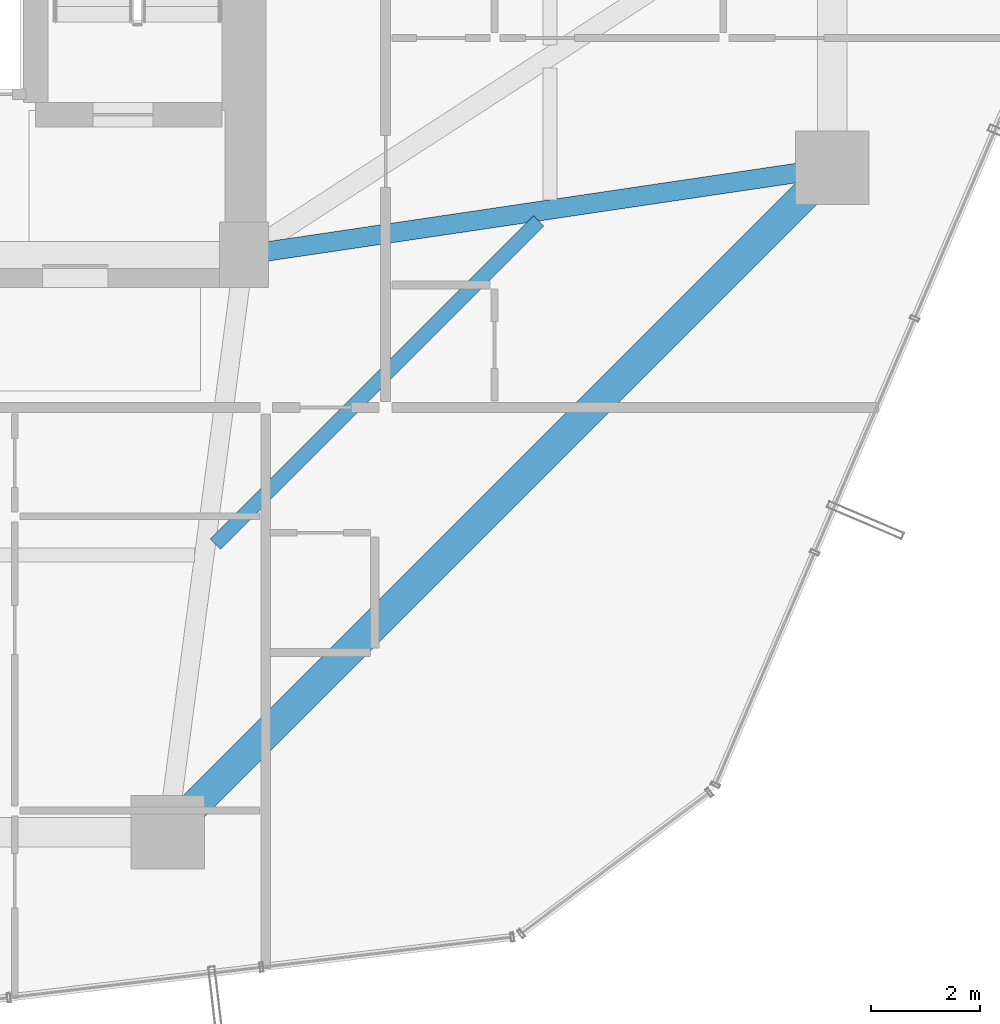
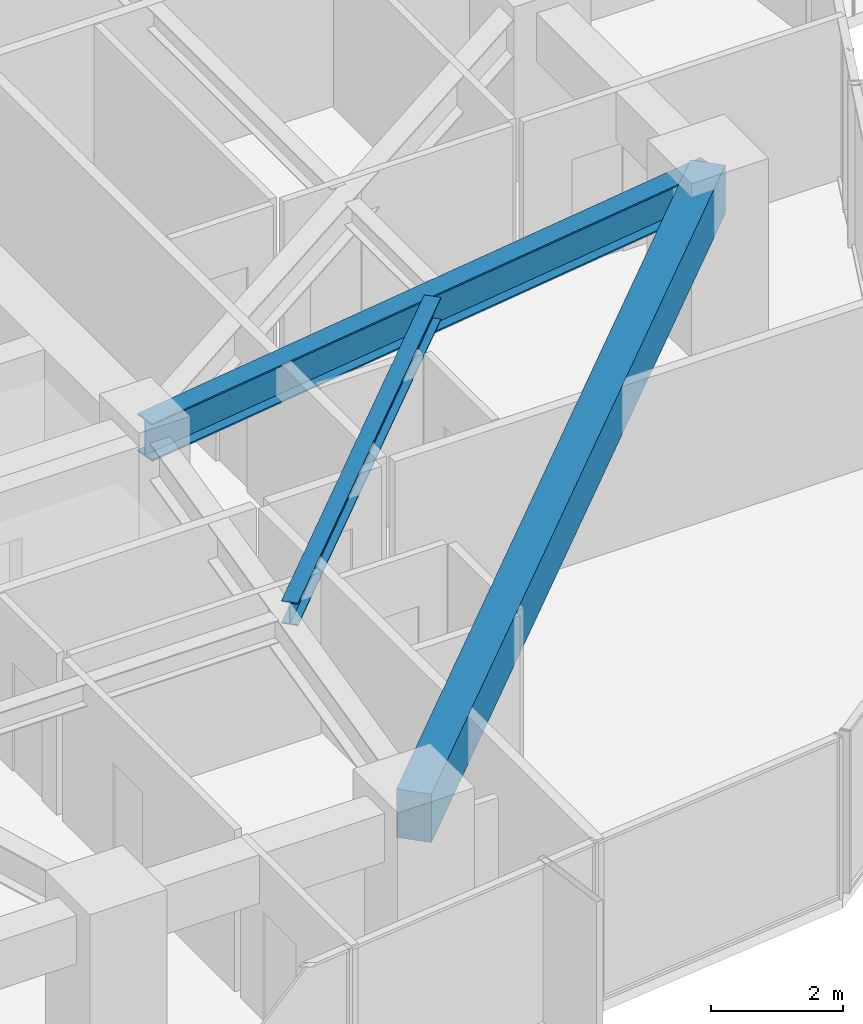
# One storey, part 15 of 37: 3 beams.
"""IFC4 building model written with IfcOpenShell, lengths in metres."""

from ifc_helpers import new_model, si_unit, direction, frame, origin, origin_2d, place, context, subcontext, project, spatial, rectangle, i_section, extrude, material, material_profile, profile_set, type_object, element, save


model = new_model("IFC4")

# Units and contexts
model_context = context("Model", 3, precision=1e-05, world=origin(), true_north=direction((0.0, 1.0)))
body_context = subcontext(model_context, "Body", "Model", "MODEL_VIEW")
ifc_project = project(units=[si_unit("LENGTHUNIT", "METRE"), si_unit("AREAUNIT", "SQUARE_METRE"), si_unit("VOLUMEUNIT", "CUBIC_METRE"), si_unit("PLANEANGLEUNIT", "RADIAN"), si_unit("MASSUNIT", "GRAM", prefix="KILO")], contexts=[model_context])

# Site, building, storey
site_placement = place(None, origin())
site = spatial("IfcSite", under=ifc_project, at=site_placement, CompositionType="ELEMENT")
building_placement = place(site_placement, origin())
building = spatial("IfcBuilding", under=site, at=building_placement, Name="Veraguas Prism Commons", CompositionType="ELEMENT")
storey_placement = place(building_placement, frame((0.0, 0.0, 46.800048828125)))
storey = spatial("IfcBuildingStorey", under=building, at=storey_placement, Name="L12", CompositionType="ELEMENT", Elevation=46.800048828125)

# Beams
ifc_material_1 = material(Name="Steel ASTM A992 Grade 50", Category="steel")
ifc_material_profile_1 = material_profile(ifc_material_1, i_section(OverallWidth=0.260986328125, OverallDepth=0.419921875, WebThickness=0.01171875, FlangeThickness=0.019287109375, at=origin_2d()), Name="W410X114")
ifc_profile_set_1 = profile_set([ifc_material_profile_1], Name="Steel ASTM A992 Grade 50")
beam_type_1 = type_object("IfcBeamType", Name="Lower Floor Joist W410x114", PredefinedType="JOIST", material=ifc_profile_set_1)
beam_1_placement = place(storey_placement, frame((30.276611328125, 11.6923828125, 2.7900390625), z_axis=(0.707092226423, 0.70712133565, 0.0), x_axis=(-0.70712133565, 0.707092226423, 0.0)))
element("IfcBeam", 1, at=beam_1_placement, inside=storey, type_object=beam_type_1, Name="Composite Floor Joist L12-JS12", PredefinedType="JOIST", context=body_context, shape_type="SweptSolid", body=[
    extrude(i_section(OverallWidth=0.260986328125, OverallDepth=0.419921875, WebThickness=0.01171875, FlangeThickness=0.019287109375, at=origin_2d()), origin(), (0.0, 0.0, 1.0), 8.386962890625),
])
ifc_material_2 = material(Name="Concrete C50/60", Category="concrete")
ifc_material_profile_2 = material_profile(ifc_material_2, rectangle(XDim=0.550048828125, YDim=0.89990234375, at=origin_2d()), Name="RC550X900")
ifc_profile_set_2 = profile_set([ifc_material_profile_2], Name="Concrete C50/60")
beam_type_2 = type_object("IfcBeamType", Name="Perimeter Spandrel Lower RC 550x900", PredefinedType="SPANDREL", material=ifc_profile_set_2)
beam_2_placement = place(storey_placement, frame((29.39990234375, 6.39990234375, 2.550048828125), z_axis=(0.707106781187, 0.707106781187, 0.0), x_axis=(-0.707106781187, 0.707106781187, 0.0)))
element("IfcBeam", 2, at=beam_2_placement, inside=storey, type_object=beam_type_2, Name="Perimeter Spandrel Beam L12-SP12", PredefinedType="SPANDREL", context=body_context, shape_type="SweptSolid", body=[
    extrude(rectangle(XDim=0.550048828125, YDim=0.89990234375, at=origin_2d()), origin(), (0.0, 0.0, 1.0), 17.253662109375),
])
ifc_material_profile_3 = material_profile(ifc_material_1, i_section(OverallWidth=0.35595703125, OverallDepth=0.700927734375, WebThickness=0.016845703125, FlangeThickness=0.02734375, at=origin_2d()), Name="W690X240")
ifc_profile_set_3 = profile_set([ifc_material_profile_3], Name="Steel ASTM A992 Grade 50")
beam_type_3 = type_object("IfcBeamType", Name="Zone 1 Radial Girder W690x240", PredefinedType="BEAM", material=ifc_profile_set_3)
beam_3_placement = place(storey_placement, frame((41.60009765625, 18.60009765625, 2.6494140625), z_axis=(-0.989202261707, -0.146556765224, 0.0), x_axis=(0.146556765224, -0.989202261707, 0.0)))
element("IfcBeam", 3, at=beam_3_placement, inside=storey, type_object=beam_type_3, Name="Radial Floor Girder L12-RD01", PredefinedType="BEAM", context=body_context, shape_type="SweptSolid", body=[
    extrude(i_section(OverallWidth=0.35595703125, OverallDepth=0.700927734375, WebThickness=0.016845703125, FlangeThickness=0.02734375, at=origin_2d()), origin(), (0.0, 0.0, 1.0), 10.91796875),
])

save(model, "model.ifc")
